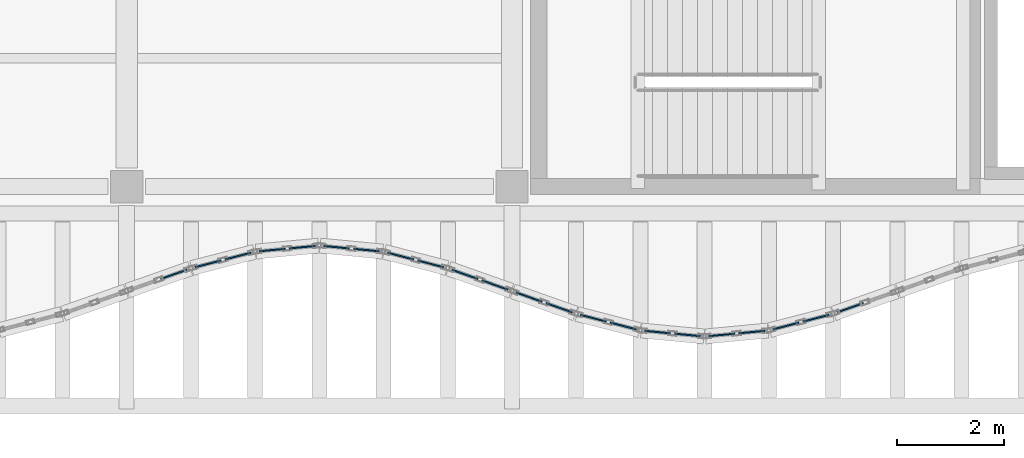
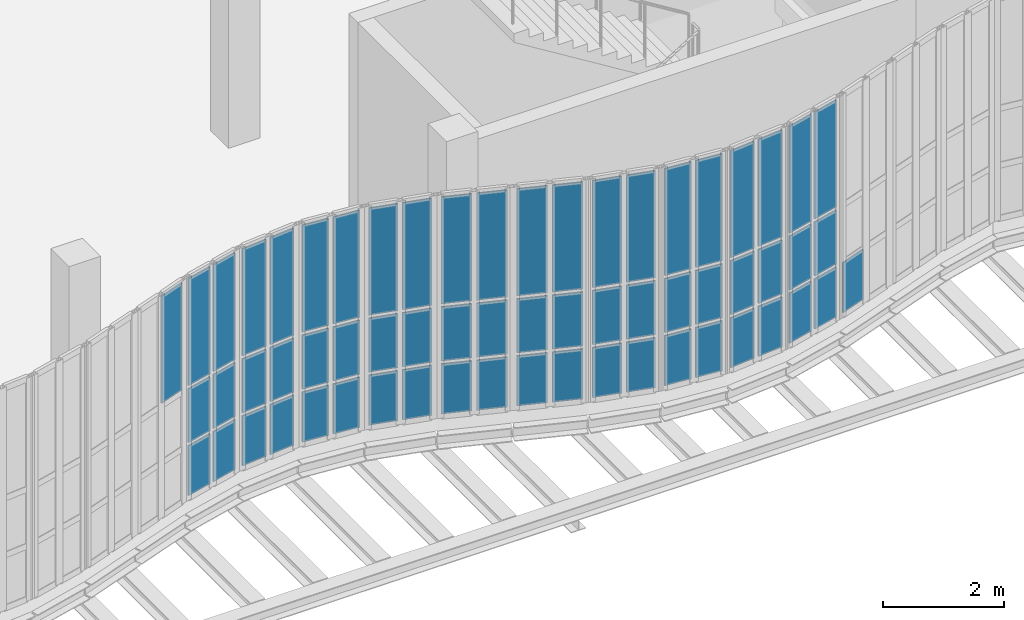
# One storey, part 69 of 105: 62 plates, 12 elements without a shape of their own.
"""IFC4 building model written with IfcOpenShell, lengths in metres."""

import ifcopenshell
import ifcopenshell.guid

model = None  # the IFC model being written
_history = None  # IfcOwnerHistory: only IFC2X3 demands one
_inside = {}  # id of a spatial element -> (the spatial element, [elements in it])
_under = {}  # id of a project, library or spatial element -> (it, [spatial elements below it])
_declared = {}  # id of a project -> (the project, [libraries it declares])
_typed = {}  # id of a type object -> (the type object, [elements of that type])
_made_of = {}  # id of a material, layer set ... -> (it, [elements and type objects made of it])


def new_model(schema):
    """Start an empty IFC model of exactly this schema.

    Asked for "IFC4X3", IfcOpenShell would pick the latest addendum, in which some entities
    have other attributes; the version numbers below select the first issue.
    IFC2X3 requires an IfcOwnerHistory on every rooted entity: one is made here for all.
    """
    global model, _history
    if schema == "IFC4X3":
        model = ifcopenshell.file(schema_version=(4, 3, 0, 0))
    else:
        model = ifcopenshell.file(schema=schema)
    _inside.clear()
    _under.clear()
    _declared.clear()
    _typed.clear()
    _made_of.clear()
    _history = None
    if model.schema == "IFC2X3":
        org = make("IfcOrganization", Name="unknown")
        user = make(
            "IfcPersonAndOrganization",
            ThePerson=make("IfcPerson", FamilyName="unknown"),
            TheOrganization=org,
        )
        app = make(
            "IfcApplication",
            ApplicationDeveloper=org,
            Version="unknown",
            ApplicationFullName="unknown",
            ApplicationIdentifier="unknown",
        )
        _history = make(
            "IfcOwnerHistory",
            OwningUser=user,
            OwningApplication=app,
            ChangeAction="ADDED",
            CreationDate=0,
        )
    return model


def make(cls, **values):
    """One entity of the class cls with the attributes given. An attribute that is None is left unset."""
    return model.create_entity(
        cls, **{name: value for name, value in values.items() if value is not None}
    )


def rooted(cls, **values):
    """An entity with a GlobalId (a new one), such as an element, a storey or a relation."""
    return make(cls, GlobalId=ifcopenshell.guid.new(), OwnerHistory=_history, **values)


def si_unit(unit_type, name, prefix=None):
    """IfcSIUnit, for example si_unit("LENGTHUNIT", "METRE", prefix="MILLI")."""
    return make("IfcSIUnit", UnitType=unit_type, Prefix=prefix, Name=name)


def assignment(units):
    """IfcUnitAssignment: the units of a project."""
    return None if units is None else make("IfcUnitAssignment", Units=units)


def point(xyz):
    """IfcCartesianPoint."""
    return None if xyz is None else make("IfcCartesianPoint", Coordinates=xyz)


def direction(xyz):
    """IfcDirection."""
    return None if xyz is None else make("IfcDirection", DirectionRatios=xyz)


def frame(location, z_axis=None, x_axis=None):
    """IfcAxis2Placement3D, a coordinate frame: its origin and axes. An axis left out is left unset."""
    return make(
        "IfcAxis2Placement3D",
        Location=point(location),
        Axis=direction(z_axis),
        RefDirection=direction(x_axis),
    )


def frame_2d(location, x_axis=None):
    """IfcAxis2Placement2D, a coordinate frame in the plane: its origin and x axis."""
    return make(
        "IfcAxis2Placement2D", Location=point(location), RefDirection=direction(x_axis)
    )


def origin():
    """The frame at (0, 0, 0) with its axes left unset."""
    return frame((0.0, 0.0, 0.0))


def origin_2d():
    """The frame at (0, 0) in the plane with its x axis left unset."""
    return frame_2d((0.0, 0.0))


def place(relative_to, where):
    """IfcLocalPlacement: puts the frame where relative to a parent placement (None: the world)."""
    return make(
        "IfcLocalPlacement", PlacementRelTo=relative_to, RelativePlacement=where
    )


def context(
    kind, dimensions, precision=None, world=None, true_north=None, identifier=None
):
    """IfcGeometricRepresentationContext, for example the 3D "Model" context."""
    return make(
        "IfcGeometricRepresentationContext",
        ContextIdentifier=identifier,
        ContextType=kind,
        CoordinateSpaceDimension=dimensions,
        Precision=precision,
        WorldCoordinateSystem=world,
        TrueNorth=true_north,
    )


def subcontext(parent, identifier, kind, view, scale=None):
    """IfcGeometricRepresentationSubContext, for example "Body" below "Model"."""
    return make(
        "IfcGeometricRepresentationSubContext",
        ContextIdentifier=identifier,
        ContextType=kind,
        ParentContext=parent,
        TargetScale=scale,
        TargetView=view,
    )


def project(units=None, contexts=None):
    """IfcProject with its units and contexts."""
    return rooted(
        "IfcProject",
        Name="project",
        RepresentationContexts=contexts,
        UnitsInContext=assignment(units),
    )


def spatial(cls, under=None, at=None, **own):
    """A site, building, storey or space (cls), placed at a placement, below another one or the project."""
    s = rooted(cls, ObjectPlacement=at, **own)
    if under is not None:
        _under.setdefault(under.id(), (under, []))[1].append(s)
    return s


def profile(cls, at=None, kind="AREA", **sizes):
    """A parametric profile (cls). Its sizes go by their IFC names, for example OverallWidth=200.0."""
    return make(cls, ProfileType=kind, Position=at, **sizes)


def rectangle(**sizes):
    """IfcRectangleProfileDef."""
    return profile("IfcRectangleProfileDef", **sizes)


def extrude(swept, where, along, depth):
    """IfcExtrudedAreaSolid: the profile swept, set in the frame where, extruded along a direction by depth."""
    return make(
        "IfcExtrudedAreaSolid",
        SweptArea=swept,
        Position=where,
        ExtrudedDirection=direction(along),
        Depth=depth,
    )


def shape(context_of_items, identifier, shape_type, items):
    """IfcShapeRepresentation: the items that make up one representation, for example the "Body"."""
    return make(
        "IfcShapeRepresentation",
        ContextOfItems=context_of_items,
        RepresentationIdentifier=identifier,
        RepresentationType=shape_type,
        Items=items,
    )


def material(Name=None, Category=None):
    """IfcMaterial."""
    return make("IfcMaterial", Name=Name, Category=Category)


def layer(
    of_material, thickness, ventilated=None, Name=None, Category=None, Priority=None
):
    """IfcMaterialLayer: one layer of a wall or slab, of a material (None: an air gap)."""
    return make(
        "IfcMaterialLayer",
        Material=of_material,
        LayerThickness=thickness,
        IsVentilated=ventilated,
        Name=Name,
        Category=Category,
        Priority=Priority,
    )


def layer_set(layers, Name=None):
    """IfcMaterialLayerSet."""
    return make("IfcMaterialLayerSet", MaterialLayers=layers, LayerSetName=Name)


def made_of(thing, what):
    """Note that an element or type object is made of a material, layer set ...; save() writes the relation."""
    if what is not None:
        _made_of.setdefault(what.id(), (what, []))[1].append(thing)
    return thing


def type_object(cls, material=None, **own):
    """A type object (cls), such as IfcWallType, which elements share."""
    return made_of(rooted(cls, **own), material)


def element(
    cls,
    number,
    at=None,
    inside=None,
    cuts=None,
    type_object=None,
    material=None,
    context=None,
    identifier="Body",
    shape_type=None,
    held_by="IfcProductDefinitionShape",
    body=None,
    shapes=None,
    **own,
):
    """One element of the class cls, such as IfcWall. Its Tag is "e" and its number.

    at: its placement. inside: the storey or other place that contains it. cuts: it is an
    opening in that element (IfcRelVoidsElement). A single representation is given by context,
    identifier, shape_type and body (its items); several are given by shapes. held_by: the class
    of the entity that holds the representations. save() writes the other relations.
    """
    e = rooted(cls, Tag="e%d" % number, ObjectPlacement=at, **own)
    if body is not None:
        shapes = [shape(context, identifier, shape_type, body)]
    if shapes is not None:
        e.Representation = make(held_by, Representations=shapes)
    if inside is not None:
        _inside.setdefault(inside.id(), (inside, []))[1].append(e)
    if cuts is not None:
        rooted(
            "IfcRelVoidsElement", RelatingBuildingElement=cuts, RelatedOpeningElement=e
        )
    if type_object is not None:
        _typed.setdefault(type_object.id(), (type_object, []))[1].append(e)
    return made_of(e, material)


def aggregate(whole, parts):
    """IfcRelAggregates: a whole, such as a stair, and the parts it consists of."""
    return rooted("IfcRelAggregates", RelatingObject=whole, RelatedObjects=parts)


def save(model, path):
    """Write the relations noted so far, then the file.

    IfcRelAggregates (storeys below a building ...), IfcRelContainedInSpatialStructure (elements
    in a storey), IfcRelDefinesByType, IfcRelAssociatesMaterial and IfcRelDeclares: one each for
    every whole, place, type object, material and project.
    """
    for whole, parts in _under.values():
        aggregate(whole, parts)
    for where, things in _inside.values():
        rooted(
            "IfcRelContainedInSpatialStructure",
            RelatedElements=things,
            RelatingStructure=where,
        )
    for kind, things in _typed.values():
        rooted("IfcRelDefinesByType", RelatedObjects=things, RelatingType=kind)
    for what, things in _made_of.values():
        rooted("IfcRelAssociatesMaterial", RelatedObjects=things, RelatingMaterial=what)
    for by, libraries in _declared.values():
        rooted("IfcRelDeclares", RelatingContext=by, RelatedDefinitions=libraries)
    model.write(path)


model = new_model("IFC4")

# Units and contexts
model_context = context("Model", 3, precision=1e-05, world=origin(), true_north=direction((0.0, 1.0)))
body_context = subcontext(model_context, "Body", "Model", "MODEL_VIEW")
ifc_project = project(units=[si_unit("LENGTHUNIT", "METRE"), si_unit("AREAUNIT", "SQUARE_METRE"), si_unit("VOLUMEUNIT", "CUBIC_METRE"), si_unit("PLANEANGLEUNIT", "RADIAN"), si_unit("MASSUNIT", "GRAM", prefix="KILO"), si_unit("THERMODYNAMICTEMPERATUREUNIT", "KELVIN"), si_unit("POWERUNIT", "WATT")], contexts=[model_context])

# Site, building, storey
site_placement = place(None, origin())
site = spatial("IfcSite", under=ifc_project, at=site_placement, CompositionType="ELEMENT")
building_placement = place(site_placement, origin())
building = spatial("IfcBuilding", under=site, at=building_placement, Name="Kaldorven Railside Theatre", CompositionType="ELEMENT")
storey_placement = place(building_placement, frame((0.0, 0.0, 9.89990234375)))
storey = spatial("IfcBuildingStorey", under=building, at=storey_placement, Name="L02", CompositionType="ELEMENT", Elevation=9.89990234375)

# Curtain wall, plate
ifc_material = material(Name="Low-E laminated solar-control glass", Category="glass")
ifc_layer_1 = layer(ifc_material, 0.159912109375, Name="Low-E laminated solar-control glass")
ifc_layer_set_1 = layer_set([ifc_layer_1], Name="Low-E laminated solar-control glass")
curtain_wall_type_1 = type_object("IfcCurtainWallType", Name="CWT-01", PredefinedType="USERDEFINED", material=ifc_layer_set_1)
curtain_wall_1_placement = place(storey_placement, origin())
curtain_wall_1 = element("IfcCurtainWall", 1, at=curtain_wall_1_placement, inside=storey, type_object=curtain_wall_type_1, Name="Sinusoidal Fluted Curtain Wall CW-L02-S13", ObjectType="FLUTED GLAZING", PredefinedType="USERDEFINED")
ifc_layer_2 = layer(ifc_material, 0.028076171875, Name="Low-E laminated solar-control glass")
ifc_layer_set_2 = layer_set([ifc_layer_2], Name="Low-E laminated solar-control glass")
plate_type = type_object("IfcPlateType", Name="CWP-GLZ28", PredefinedType="CURTAIN_PANEL", material=ifc_layer_set_2)
plate_1_placement = place(storey_placement, frame((52.0810546875, 17.56201171875, 2.2802734375), z_axis=(0.0, 0.0, 1.0), x_axis=(0.942627225159, 0.33384714225, 0.0)))
plate_1 = element("IfcPlate", 2, at=plate_1_placement, type_object=plate_type, Name="CW-L02-S13 panel 2.3", PredefinedType="CURTAIN_PANEL", context=body_context, shape_type="SweptSolid", body=[
    extrude(rectangle(XDim=0.5166015625, YDim=0.028076171875, at=origin_2d()), origin(), (0.0, 0.0, 1.0), 2.159912109375),
])
aggregate(curtain_wall_1, [plate_1])

# Curtain wall, plates
ifc_layer_3 = layer(ifc_material, 0.159912109375, Name="Low-E laminated solar-control glass")
ifc_layer_set_3 = layer_set([ifc_layer_3], Name="Low-E laminated solar-control glass")
curtain_wall_type_2 = type_object("IfcCurtainWallType", Name="CWT-02", PredefinedType="USERDEFINED", material=ifc_layer_set_3)
curtain_wall_2_placement = place(storey_placement, origin())
curtain_wall_2 = element("IfcCurtainWall", 3, at=curtain_wall_2_placement, inside=storey, type_object=curtain_wall_type_2, Name="Sinusoidal Fluted Curtain Wall CW-L02-S14", ObjectType="FLUTED GLAZING", PredefinedType="USERDEFINED")
plate_2_placement = place(storey_placement, frame((52.71923828125, 17.7578125, 0.06005859375), z_axis=(0.0, 0.0, 1.0), x_axis=(0.967999075505, 0.250953760326, 0.0)))
plate_2 = element("IfcPlate", 4, at=plate_2_placement, type_object=plate_type, Name="CW-L02-S14 panel 1.1", PredefinedType="CURTAIN_PANEL", context=body_context, shape_type="SweptSolid", body=[
    extrude(rectangle(XDim=0.499755859375, YDim=0.028076171875, at=origin_2d()), origin(), (0.0, 0.0, 1.0), 1.010009765625),
])
plate_3_placement = place(storey_placement, frame((52.71923828125, 17.7578125, 1.1298828125), z_axis=(0.0, 0.0, 1.0), x_axis=(0.967999075505, 0.250953760326, 0.0)))
plate_3 = element("IfcPlate", 5, at=plate_3_placement, type_object=plate_type, Name="CW-L02-S14 panel 1.2", PredefinedType="CURTAIN_PANEL", context=body_context, shape_type="SweptSolid", body=[
    extrude(rectangle(XDim=0.499755859375, YDim=0.028076171875, at=origin_2d()), origin(), (0.0, 0.0, 1.0), 1.090087890625),
])
plate_4_placement = place(storey_placement, frame((52.71923828125, 17.7578125, 2.2802734375), z_axis=(0.0, 0.0, 1.0), x_axis=(0.967999075505, 0.250953760326, 0.0)))
plate_4 = element("IfcPlate", 6, at=plate_4_placement, type_object=plate_type, Name="CW-L02-S14 panel 1.3", PredefinedType="CURTAIN_PANEL", context=body_context, shape_type="SweptSolid", body=[
    extrude(rectangle(XDim=0.499755859375, YDim=0.028076171875, at=origin_2d()), origin(), (0.0, 0.0, 1.0), 2.159912109375),
])
plate_5_placement = place(storey_placement, frame((53.28076171875, 17.9033203125, 0.06005859375), z_axis=(0.0, 0.0, 1.0), x_axis=(0.967999075505, 0.250953760326, 0.0)))
plate_5 = element("IfcPlate", 7, at=plate_5_placement, type_object=plate_type, Name="CW-L02-S14 panel 2.1", PredefinedType="CURTAIN_PANEL", context=body_context, shape_type="SweptSolid", body=[
    extrude(rectangle(XDim=0.499755859375, YDim=0.028076171875, at=origin_2d()), origin(), (0.0, 0.0, 1.0), 1.010009765625),
])
plate_6_placement = place(storey_placement, frame((53.28076171875, 17.9033203125, 1.1298828125), z_axis=(0.0, 0.0, 1.0), x_axis=(0.967999075505, 0.250953760326, 0.0)))
plate_6 = element("IfcPlate", 8, at=plate_6_placement, type_object=plate_type, Name="CW-L02-S14 panel 2.2", PredefinedType="CURTAIN_PANEL", context=body_context, shape_type="SweptSolid", body=[
    extrude(rectangle(XDim=0.499755859375, YDim=0.028076171875, at=origin_2d()), origin(), (0.0, 0.0, 1.0), 1.090087890625),
])
plate_7_placement = place(storey_placement, frame((53.28076171875, 17.9033203125, 2.2802734375), z_axis=(0.0, 0.0, 1.0), x_axis=(0.967999075505, 0.250953760326, 0.0)))
plate_7 = element("IfcPlate", 9, at=plate_7_placement, type_object=plate_type, Name="CW-L02-S14 panel 2.3", PredefinedType="CURTAIN_PANEL", context=body_context, shape_type="SweptSolid", body=[
    extrude(rectangle(XDim=0.499755859375, YDim=0.028076171875, at=origin_2d()), origin(), (0.0, 0.0, 1.0), 2.159912109375),
])
aggregate(curtain_wall_2, [plate_2, plate_3, plate_4, plate_5, plate_6, plate_7])

ifc_layer_4 = layer(ifc_material, 0.159912109375, Name="Low-E laminated solar-control glass")
ifc_layer_set_4 = layer_set([ifc_layer_4], Name="Low-E laminated solar-control glass")
curtain_wall_type_3 = type_object("IfcCurtainWallType", Name="CWT-03", PredefinedType="USERDEFINED", material=ifc_layer_set_4)
curtain_wall_3_placement = place(storey_placement, origin())
curtain_wall_3 = element("IfcCurtainWall", 10, at=curtain_wall_3_placement, inside=storey, type_object=curtain_wall_type_3, Name="Sinusoidal Fluted Curtain Wall CW-L02-S15", ObjectType="FLUTED GLAZING", PredefinedType="USERDEFINED")
plate_8_placement = place(storey_placement, frame((53.919921875, 18.016357421875, 0.06005859375), z_axis=(0.0, 0.0, 1.0), x_axis=(0.995525623425, 0.094491973758, 0.0)))
plate_8 = element("IfcPlate", 11, at=plate_8_placement, type_object=plate_type, Name="CW-L02-S15 panel 1.1", PredefinedType="CURTAIN_PANEL", context=body_context, shape_type="SweptSolid", body=[
    extrude(rectangle(XDim=0.482666015625, YDim=0.028076171875, at=origin_2d()), origin(), (0.0, 0.0, 1.0), 1.010009765625),
])
plate_9_placement = place(storey_placement, frame((53.919921875, 18.016357421875, 1.1298828125), z_axis=(0.0, 0.0, 1.0), x_axis=(0.995525623425, 0.094491973758, 0.0)))
plate_9 = element("IfcPlate", 12, at=plate_9_placement, type_object=plate_type, Name="CW-L02-S15 panel 1.2", PredefinedType="CURTAIN_PANEL", context=body_context, shape_type="SweptSolid", body=[
    extrude(rectangle(XDim=0.482666015625, YDim=0.028076171875, at=origin_2d()), origin(), (0.0, 0.0, 1.0), 1.090087890625),
])
plate_10_placement = place(storey_placement, frame((53.919921875, 18.016357421875, 2.2802734375), z_axis=(0.0, 0.0, 1.0), x_axis=(0.995525623425, 0.094491973758, 0.0)))
plate_10 = element("IfcPlate", 13, at=plate_10_placement, type_object=plate_type, Name="CW-L02-S15 panel 1.3", PredefinedType="CURTAIN_PANEL", context=body_context, shape_type="SweptSolid", body=[
    extrude(rectangle(XDim=0.482666015625, YDim=0.028076171875, at=origin_2d()), origin(), (0.0, 0.0, 1.0), 2.159912109375),
])
plate_11_placement = place(storey_placement, frame((54.47998046875, 18.069580078125, 0.06005859375), z_axis=(0.0, 0.0, 1.0), x_axis=(0.995525623425, 0.094491973758, 0.0)))
plate_11 = element("IfcPlate", 14, at=plate_11_placement, type_object=plate_type, Name="CW-L02-S15 panel 2.1", PredefinedType="CURTAIN_PANEL", context=body_context, shape_type="SweptSolid", body=[
    extrude(rectangle(XDim=0.482666015625, YDim=0.028076171875, at=origin_2d()), origin(), (0.0, 0.0, 1.0), 1.010009765625),
])
plate_12_placement = place(storey_placement, frame((54.47998046875, 18.069580078125, 1.1298828125), z_axis=(0.0, 0.0, 1.0), x_axis=(0.995525623425, 0.094491973758, 0.0)))
plate_12 = element("IfcPlate", 15, at=plate_12_placement, type_object=plate_type, Name="CW-L02-S15 panel 2.2", PredefinedType="CURTAIN_PANEL", context=body_context, shape_type="SweptSolid", body=[
    extrude(rectangle(XDim=0.482666015625, YDim=0.028076171875, at=origin_2d()), origin(), (0.0, 0.0, 1.0), 1.090087890625),
])
plate_13_placement = place(storey_placement, frame((54.47998046875, 18.069580078125, 2.2802734375), z_axis=(0.0, 0.0, 1.0), x_axis=(0.995525623425, 0.094491973758, 0.0)))
plate_13 = element("IfcPlate", 16, at=plate_13_placement, type_object=plate_type, Name="CW-L02-S15 panel 2.3", PredefinedType="CURTAIN_PANEL", context=body_context, shape_type="SweptSolid", body=[
    extrude(rectangle(XDim=0.482666015625, YDim=0.028076171875, at=origin_2d()), origin(), (0.0, 0.0, 1.0), 2.159912109375),
])
aggregate(curtain_wall_3, [plate_8, plate_9, plate_10, plate_11, plate_12, plate_13])

curtain_wall_4_placement = place(storey_placement, origin())
curtain_wall_4 = element("IfcCurtainWall", 17, at=curtain_wall_4_placement, inside=storey, type_object=curtain_wall_type_3, Name="Sinusoidal Fluted Curtain Wall CW-L02-S16", ObjectType="FLUTED GLAZING", PredefinedType="USERDEFINED")
plate_14_placement = place(storey_placement, frame((55.119873046875, 18.069580078125, 0.06005859375), z_axis=(0.0, 0.0, 1.0), x_axis=(0.995525623425, -0.094491973758, 0.0)))
plate_14 = element("IfcPlate", 18, at=plate_14_placement, type_object=plate_type, Name="CW-L02-S16 panel 1.1", PredefinedType="CURTAIN_PANEL", context=body_context, shape_type="SweptSolid", body=[
    extrude(rectangle(XDim=0.482666015625, YDim=0.028076171875, at=origin_2d()), origin(), (0.0, 0.0, 1.0), 1.010009765625),
])
plate_15_placement = place(storey_placement, frame((55.119873046875, 18.069580078125, 1.1298828125), z_axis=(0.0, 0.0, 1.0), x_axis=(0.995525623425, -0.094491973758, 0.0)))
plate_15 = element("IfcPlate", 19, at=plate_15_placement, type_object=plate_type, Name="CW-L02-S16 panel 1.2", PredefinedType="CURTAIN_PANEL", context=body_context, shape_type="SweptSolid", body=[
    extrude(rectangle(XDim=0.482666015625, YDim=0.028076171875, at=origin_2d()), origin(), (0.0, 0.0, 1.0), 1.090087890625),
])
plate_16_placement = place(storey_placement, frame((55.119873046875, 18.069580078125, 2.2802734375), z_axis=(0.0, 0.0, 1.0), x_axis=(0.995525623425, -0.094491973758, 0.0)))
plate_16 = element("IfcPlate", 20, at=plate_16_placement, type_object=plate_type, Name="CW-L02-S16 panel 1.3", PredefinedType="CURTAIN_PANEL", context=body_context, shape_type="SweptSolid", body=[
    extrude(rectangle(XDim=0.482666015625, YDim=0.028076171875, at=origin_2d()), origin(), (0.0, 0.0, 1.0), 2.159912109375),
])
plate_17_placement = place(storey_placement, frame((55.68017578125, 18.016357421875, 0.06005859375), z_axis=(0.0, 0.0, 1.0), x_axis=(0.995525623425, -0.094491973758, 0.0)))
plate_17 = element("IfcPlate", 21, at=plate_17_placement, type_object=plate_type, Name="CW-L02-S16 panel 2.1", PredefinedType="CURTAIN_PANEL", context=body_context, shape_type="SweptSolid", body=[
    extrude(rectangle(XDim=0.482666015625, YDim=0.028076171875, at=origin_2d()), origin(), (0.0, 0.0, 1.0), 1.010009765625),
])
plate_18_placement = place(storey_placement, frame((55.68017578125, 18.016357421875, 1.1298828125), z_axis=(0.0, 0.0, 1.0), x_axis=(0.995525623425, -0.094491973758, 0.0)))
plate_18 = element("IfcPlate", 22, at=plate_18_placement, type_object=plate_type, Name="CW-L02-S16 panel 2.2", PredefinedType="CURTAIN_PANEL", context=body_context, shape_type="SweptSolid", body=[
    extrude(rectangle(XDim=0.482666015625, YDim=0.028076171875, at=origin_2d()), origin(), (0.0, 0.0, 1.0), 1.090087890625),
])
plate_19_placement = place(storey_placement, frame((55.68017578125, 18.016357421875, 2.2802734375), z_axis=(0.0, 0.0, 1.0), x_axis=(0.995525623425, -0.094491973758, 0.0)))
plate_19 = element("IfcPlate", 23, at=plate_19_placement, type_object=plate_type, Name="CW-L02-S16 panel 2.3", PredefinedType="CURTAIN_PANEL", context=body_context, shape_type="SweptSolid", body=[
    extrude(rectangle(XDim=0.482666015625, YDim=0.028076171875, at=origin_2d()), origin(), (0.0, 0.0, 1.0), 2.159912109375),
])
aggregate(curtain_wall_4, [plate_14, plate_15, plate_16, plate_17, plate_18, plate_19])

curtain_wall_5_placement = place(storey_placement, origin())
curtain_wall_5 = element("IfcCurtainWall", 24, at=curtain_wall_5_placement, inside=storey, type_object=curtain_wall_type_2, Name="Sinusoidal Fluted Curtain Wall CW-L02-S17", ObjectType="FLUTED GLAZING", PredefinedType="USERDEFINED")
plate_20_placement = place(storey_placement, frame((56.3193359375, 17.9033203125, 0.06005859375), z_axis=(0.0, 0.0, 1.0), x_axis=(0.967999075505, -0.250953760326, 0.0)))
plate_20 = element("IfcPlate", 25, at=plate_20_placement, type_object=plate_type, Name="CW-L02-S17 panel 1.1", PredefinedType="CURTAIN_PANEL", context=body_context, shape_type="SweptSolid", body=[
    extrude(rectangle(XDim=0.499755859375, YDim=0.028076171875, at=origin_2d()), origin(), (0.0, 0.0, 1.0), 1.010009765625),
])
plate_21_placement = place(storey_placement, frame((56.3193359375, 17.9033203125, 1.1298828125), z_axis=(0.0, 0.0, 1.0), x_axis=(0.967999075505, -0.250953760326, 0.0)))
plate_21 = element("IfcPlate", 26, at=plate_21_placement, type_object=plate_type, Name="CW-L02-S17 panel 1.2", PredefinedType="CURTAIN_PANEL", context=body_context, shape_type="SweptSolid", body=[
    extrude(rectangle(XDim=0.499755859375, YDim=0.028076171875, at=origin_2d()), origin(), (0.0, 0.0, 1.0), 1.090087890625),
])
plate_22_placement = place(storey_placement, frame((56.3193359375, 17.9033203125, 2.2802734375), z_axis=(0.0, 0.0, 1.0), x_axis=(0.967999075505, -0.250953760326, 0.0)))
plate_22 = element("IfcPlate", 27, at=plate_22_placement, type_object=plate_type, Name="CW-L02-S17 panel 1.3", PredefinedType="CURTAIN_PANEL", context=body_context, shape_type="SweptSolid", body=[
    extrude(rectangle(XDim=0.499755859375, YDim=0.028076171875, at=origin_2d()), origin(), (0.0, 0.0, 1.0), 2.159912109375),
])
plate_23_placement = place(storey_placement, frame((56.880615234375, 17.7578125, 0.06005859375), z_axis=(0.0, 0.0, 1.0), x_axis=(0.967999075505, -0.250953760326, 0.0)))
plate_23 = element("IfcPlate", 28, at=plate_23_placement, type_object=plate_type, Name="CW-L02-S17 panel 2.1", PredefinedType="CURTAIN_PANEL", context=body_context, shape_type="SweptSolid", body=[
    extrude(rectangle(XDim=0.499755859375, YDim=0.028076171875, at=origin_2d()), origin(), (0.0, 0.0, 1.0), 1.010009765625),
])
plate_24_placement = place(storey_placement, frame((56.880615234375, 17.7578125, 1.1298828125), z_axis=(0.0, 0.0, 1.0), x_axis=(0.967999075505, -0.250953760326, 0.0)))
plate_24 = element("IfcPlate", 29, at=plate_24_placement, type_object=plate_type, Name="CW-L02-S17 panel 2.2", PredefinedType="CURTAIN_PANEL", context=body_context, shape_type="SweptSolid", body=[
    extrude(rectangle(XDim=0.499755859375, YDim=0.028076171875, at=origin_2d()), origin(), (0.0, 0.0, 1.0), 1.090087890625),
])
plate_25_placement = place(storey_placement, frame((56.880615234375, 17.7578125, 2.2802734375), z_axis=(0.0, 0.0, 1.0), x_axis=(0.967999075505, -0.250953760326, 0.0)))
plate_25 = element("IfcPlate", 30, at=plate_25_placement, type_object=plate_type, Name="CW-L02-S17 panel 2.3", PredefinedType="CURTAIN_PANEL", context=body_context, shape_type="SweptSolid", body=[
    extrude(rectangle(XDim=0.499755859375, YDim=0.028076171875, at=origin_2d()), origin(), (0.0, 0.0, 1.0), 2.159912109375),
])
aggregate(curtain_wall_5, [plate_20, plate_21, plate_22, plate_23, plate_24, plate_25])

curtain_wall_6_placement = place(storey_placement, origin())
curtain_wall_6 = element("IfcCurtainWall", 31, at=curtain_wall_6_placement, inside=storey, type_object=curtain_wall_type_1, Name="Sinusoidal Fluted Curtain Wall CW-L02-S18", ObjectType="FLUTED GLAZING", PredefinedType="USERDEFINED")
plate_26_placement = place(storey_placement, frame((57.518798828125, 17.56201171875, 0.06005859375), z_axis=(0.0, 0.0, 1.0), x_axis=(0.942627225159, -0.33384714225, 0.0)))
plate_26 = element("IfcPlate", 32, at=plate_26_placement, type_object=plate_type, Name="CW-L02-S18 panel 1.1", PredefinedType="CURTAIN_PANEL", context=body_context, shape_type="SweptSolid", body=[
    extrude(rectangle(XDim=0.5166015625, YDim=0.028076171875, at=origin_2d()), origin(), (0.0, 0.0, 1.0), 1.010009765625),
])
plate_27_placement = place(storey_placement, frame((57.518798828125, 17.56201171875, 1.1298828125), z_axis=(0.0, 0.0, 1.0), x_axis=(0.942627225159, -0.33384714225, 0.0)))
plate_27 = element("IfcPlate", 33, at=plate_27_placement, type_object=plate_type, Name="CW-L02-S18 panel 1.2", PredefinedType="CURTAIN_PANEL", context=body_context, shape_type="SweptSolid", body=[
    extrude(rectangle(XDim=0.5166015625, YDim=0.028076171875, at=origin_2d()), origin(), (0.0, 0.0, 1.0), 1.090087890625),
])
plate_28_placement = place(storey_placement, frame((57.518798828125, 17.56201171875, 2.2802734375), z_axis=(0.0, 0.0, 1.0), x_axis=(0.942627225159, -0.33384714225, 0.0)))
plate_28 = element("IfcPlate", 34, at=plate_28_placement, type_object=plate_type, Name="CW-L02-S18 panel 1.3", PredefinedType="CURTAIN_PANEL", context=body_context, shape_type="SweptSolid", body=[
    extrude(rectangle(XDim=0.5166015625, YDim=0.028076171875, at=origin_2d()), origin(), (0.0, 0.0, 1.0), 2.159912109375),
])
plate_29_placement = place(storey_placement, frame((58.0810546875, 17.363037109375, 0.06005859375), z_axis=(0.0, 0.0, 1.0), x_axis=(0.942627225159, -0.33384714225, 0.0)))
plate_29 = element("IfcPlate", 35, at=plate_29_placement, type_object=plate_type, Name="CW-L02-S18 panel 2.1", PredefinedType="CURTAIN_PANEL", context=body_context, shape_type="SweptSolid", body=[
    extrude(rectangle(XDim=0.5166015625, YDim=0.028076171875, at=origin_2d()), origin(), (0.0, 0.0, 1.0), 1.010009765625),
])
plate_30_placement = place(storey_placement, frame((58.0810546875, 17.363037109375, 1.1298828125), z_axis=(0.0, 0.0, 1.0), x_axis=(0.942627225159, -0.33384714225, 0.0)))
plate_30 = element("IfcPlate", 36, at=plate_30_placement, type_object=plate_type, Name="CW-L02-S18 panel 2.2", PredefinedType="CURTAIN_PANEL", context=body_context, shape_type="SweptSolid", body=[
    extrude(rectangle(XDim=0.5166015625, YDim=0.028076171875, at=origin_2d()), origin(), (0.0, 0.0, 1.0), 1.090087890625),
])
plate_31_placement = place(storey_placement, frame((58.0810546875, 17.363037109375, 2.2802734375), z_axis=(0.0, 0.0, 1.0), x_axis=(0.942627225159, -0.33384714225, 0.0)))
plate_31 = element("IfcPlate", 37, at=plate_31_placement, type_object=plate_type, Name="CW-L02-S18 panel 2.3", PredefinedType="CURTAIN_PANEL", context=body_context, shape_type="SweptSolid", body=[
    extrude(rectangle(XDim=0.5166015625, YDim=0.028076171875, at=origin_2d()), origin(), (0.0, 0.0, 1.0), 2.159912109375),
])
aggregate(curtain_wall_6, [plate_26, plate_27, plate_28, plate_29, plate_30, plate_31])

curtain_wall_7_placement = place(storey_placement, origin())
curtain_wall_7 = element("IfcCurtainWall", 38, at=curtain_wall_7_placement, inside=storey, type_object=curtain_wall_type_1, Name="Sinusoidal Fluted Curtain Wall CW-L02-S19", ObjectType="FLUTED GLAZING", PredefinedType="USERDEFINED")
plate_32_placement = place(storey_placement, frame((58.71875, 17.136962890625, 0.06005859375), z_axis=(0.0, 0.0, 1.0), x_axis=(0.942627225159, -0.33384714225, 0.0)))
plate_32 = element("IfcPlate", 39, at=plate_32_placement, type_object=plate_type, Name="CW-L02-S19 panel 1.1", PredefinedType="CURTAIN_PANEL", context=body_context, shape_type="SweptSolid", body=[
    extrude(rectangle(XDim=0.5166015625, YDim=0.028076171875, at=origin_2d()), origin(), (0.0, 0.0, 1.0), 1.010009765625),
])
plate_33_placement = place(storey_placement, frame((58.71875, 17.136962890625, 1.1298828125), z_axis=(0.0, 0.0, 1.0), x_axis=(0.942627225159, -0.33384714225, 0.0)))
plate_33 = element("IfcPlate", 40, at=plate_33_placement, type_object=plate_type, Name="CW-L02-S19 panel 1.2", PredefinedType="CURTAIN_PANEL", context=body_context, shape_type="SweptSolid", body=[
    extrude(rectangle(XDim=0.5166015625, YDim=0.028076171875, at=origin_2d()), origin(), (0.0, 0.0, 1.0), 1.090087890625),
])
plate_34_placement = place(storey_placement, frame((58.71875, 17.136962890625, 2.2802734375), z_axis=(0.0, 0.0, 1.0), x_axis=(0.942627225159, -0.33384714225, 0.0)))
plate_34 = element("IfcPlate", 41, at=plate_34_placement, type_object=plate_type, Name="CW-L02-S19 panel 1.3", PredefinedType="CURTAIN_PANEL", context=body_context, shape_type="SweptSolid", body=[
    extrude(rectangle(XDim=0.5166015625, YDim=0.028076171875, at=origin_2d()), origin(), (0.0, 0.0, 1.0), 2.159912109375),
])
plate_35_placement = place(storey_placement, frame((59.28125, 16.93798828125, 0.06005859375), z_axis=(0.0, 0.0, 1.0), x_axis=(0.942627225159, -0.33384714225, 0.0)))
plate_35 = element("IfcPlate", 42, at=plate_35_placement, type_object=plate_type, Name="CW-L02-S19 panel 2.1", PredefinedType="CURTAIN_PANEL", context=body_context, shape_type="SweptSolid", body=[
    extrude(rectangle(XDim=0.5166015625, YDim=0.028076171875, at=origin_2d()), origin(), (0.0, 0.0, 1.0), 1.010009765625),
])
plate_36_placement = place(storey_placement, frame((59.28125, 16.93798828125, 1.1298828125), z_axis=(0.0, 0.0, 1.0), x_axis=(0.942627225159, -0.33384714225, 0.0)))
plate_36 = element("IfcPlate", 43, at=plate_36_placement, type_object=plate_type, Name="CW-L02-S19 panel 2.2", PredefinedType="CURTAIN_PANEL", context=body_context, shape_type="SweptSolid", body=[
    extrude(rectangle(XDim=0.5166015625, YDim=0.028076171875, at=origin_2d()), origin(), (0.0, 0.0, 1.0), 1.090087890625),
])
plate_37_placement = place(storey_placement, frame((59.28125, 16.93798828125, 2.2802734375), z_axis=(0.0, 0.0, 1.0), x_axis=(0.942627225159, -0.33384714225, 0.0)))
plate_37 = element("IfcPlate", 44, at=plate_37_placement, type_object=plate_type, Name="CW-L02-S19 panel 2.3", PredefinedType="CURTAIN_PANEL", context=body_context, shape_type="SweptSolid", body=[
    extrude(rectangle(XDim=0.5166015625, YDim=0.028076171875, at=origin_2d()), origin(), (0.0, 0.0, 1.0), 2.159912109375),
])
aggregate(curtain_wall_7, [plate_32, plate_33, plate_34, plate_35, plate_36, plate_37])

curtain_wall_8_placement = place(storey_placement, origin())
curtain_wall_8 = element("IfcCurtainWall", 45, at=curtain_wall_8_placement, inside=storey, type_object=curtain_wall_type_2, Name="Sinusoidal Fluted Curtain Wall CW-L02-S20", ObjectType="FLUTED GLAZING", PredefinedType="USERDEFINED")
plate_38_placement = place(storey_placement, frame((59.91943359375, 16.7421875, 0.06005859375), z_axis=(0.0, 0.0, 1.0), x_axis=(0.967999075505, -0.250953760326, 0.0)))
plate_38 = element("IfcPlate", 46, at=plate_38_placement, type_object=plate_type, Name="CW-L02-S20 panel 1.1", PredefinedType="CURTAIN_PANEL", context=body_context, shape_type="SweptSolid", body=[
    extrude(rectangle(XDim=0.499755859375, YDim=0.028076171875, at=origin_2d()), origin(), (0.0, 0.0, 1.0), 1.010009765625),
])
plate_39_placement = place(storey_placement, frame((59.91943359375, 16.7421875, 1.1298828125), z_axis=(0.0, 0.0, 1.0), x_axis=(0.967999075505, -0.250953760326, 0.0)))
plate_39 = element("IfcPlate", 47, at=plate_39_placement, type_object=plate_type, Name="CW-L02-S20 panel 1.2", PredefinedType="CURTAIN_PANEL", context=body_context, shape_type="SweptSolid", body=[
    extrude(rectangle(XDim=0.499755859375, YDim=0.028076171875, at=origin_2d()), origin(), (0.0, 0.0, 1.0), 1.090087890625),
])
plate_40_placement = place(storey_placement, frame((59.91943359375, 16.7421875, 2.2802734375), z_axis=(0.0, 0.0, 1.0), x_axis=(0.967999075505, -0.250953760326, 0.0)))
plate_40 = element("IfcPlate", 48, at=plate_40_placement, type_object=plate_type, Name="CW-L02-S20 panel 1.3", PredefinedType="CURTAIN_PANEL", context=body_context, shape_type="SweptSolid", body=[
    extrude(rectangle(XDim=0.499755859375, YDim=0.028076171875, at=origin_2d()), origin(), (0.0, 0.0, 1.0), 2.159912109375),
])
plate_41_placement = place(storey_placement, frame((60.480712890625, 16.5966796875, 0.06005859375), z_axis=(0.0, 0.0, 1.0), x_axis=(0.967999075505, -0.250953760326, 0.0)))
plate_41 = element("IfcPlate", 49, at=plate_41_placement, type_object=plate_type, Name="CW-L02-S20 panel 2.1", PredefinedType="CURTAIN_PANEL", context=body_context, shape_type="SweptSolid", body=[
    extrude(rectangle(XDim=0.499755859375, YDim=0.028076171875, at=origin_2d()), origin(), (0.0, 0.0, 1.0), 1.010009765625),
])
plate_42_placement = place(storey_placement, frame((60.480712890625, 16.5966796875, 1.1298828125), z_axis=(0.0, 0.0, 1.0), x_axis=(0.967999075505, -0.250953760326, 0.0)))
plate_42 = element("IfcPlate", 50, at=plate_42_placement, type_object=plate_type, Name="CW-L02-S20 panel 2.2", PredefinedType="CURTAIN_PANEL", context=body_context, shape_type="SweptSolid", body=[
    extrude(rectangle(XDim=0.499755859375, YDim=0.028076171875, at=origin_2d()), origin(), (0.0, 0.0, 1.0), 1.090087890625),
])
plate_43_placement = place(storey_placement, frame((60.480712890625, 16.5966796875, 2.2802734375), z_axis=(0.0, 0.0, 1.0), x_axis=(0.967999075505, -0.250953760326, 0.0)))
plate_43 = element("IfcPlate", 51, at=plate_43_placement, type_object=plate_type, Name="CW-L02-S20 panel 2.3", PredefinedType="CURTAIN_PANEL", context=body_context, shape_type="SweptSolid", body=[
    extrude(rectangle(XDim=0.499755859375, YDim=0.028076171875, at=origin_2d()), origin(), (0.0, 0.0, 1.0), 2.159912109375),
])
aggregate(curtain_wall_8, [plate_38, plate_39, plate_40, plate_41, plate_42, plate_43])

curtain_wall_9_placement = place(storey_placement, origin())
curtain_wall_9 = element("IfcCurtainWall", 52, at=curtain_wall_9_placement, inside=storey, type_object=curtain_wall_type_3, Name="Sinusoidal Fluted Curtain Wall CW-L02-S21", ObjectType="FLUTED GLAZING", PredefinedType="USERDEFINED")
plate_44_placement = place(storey_placement, frame((61.119873046875, 16.483642578125, 0.06005859375), z_axis=(0.0, 0.0, 1.0), x_axis=(0.995525623425, -0.094491973758, 0.0)))
plate_44 = element("IfcPlate", 53, at=plate_44_placement, type_object=plate_type, Name="CW-L02-S21 panel 1.1", PredefinedType="CURTAIN_PANEL", context=body_context, shape_type="SweptSolid", body=[
    extrude(rectangle(XDim=0.482666015625, YDim=0.028076171875, at=origin_2d()), origin(), (0.0, 0.0, 1.0), 1.010009765625),
])
plate_45_placement = place(storey_placement, frame((61.119873046875, 16.483642578125, 1.1298828125), z_axis=(0.0, 0.0, 1.0), x_axis=(0.995525623425, -0.094491973758, 0.0)))
plate_45 = element("IfcPlate", 54, at=plate_45_placement, type_object=plate_type, Name="CW-L02-S21 panel 1.2", PredefinedType="CURTAIN_PANEL", context=body_context, shape_type="SweptSolid", body=[
    extrude(rectangle(XDim=0.482666015625, YDim=0.028076171875, at=origin_2d()), origin(), (0.0, 0.0, 1.0), 1.090087890625),
])
plate_46_placement = place(storey_placement, frame((61.119873046875, 16.483642578125, 2.2802734375), z_axis=(0.0, 0.0, 1.0), x_axis=(0.995525623425, -0.094491973758, 0.0)))
plate_46 = element("IfcPlate", 55, at=plate_46_placement, type_object=plate_type, Name="CW-L02-S21 panel 1.3", PredefinedType="CURTAIN_PANEL", context=body_context, shape_type="SweptSolid", body=[
    extrude(rectangle(XDim=0.482666015625, YDim=0.028076171875, at=origin_2d()), origin(), (0.0, 0.0, 1.0), 2.159912109375),
])
plate_47_placement = place(storey_placement, frame((61.68017578125, 16.430419921875, 0.06005859375), z_axis=(0.0, 0.0, 1.0), x_axis=(0.995525623425, -0.094491973758, 0.0)))
plate_47 = element("IfcPlate", 56, at=plate_47_placement, type_object=plate_type, Name="CW-L02-S21 panel 2.1", PredefinedType="CURTAIN_PANEL", context=body_context, shape_type="SweptSolid", body=[
    extrude(rectangle(XDim=0.482666015625, YDim=0.028076171875, at=origin_2d()), origin(), (0.0, 0.0, 1.0), 1.010009765625),
])
plate_48_placement = place(storey_placement, frame((61.68017578125, 16.430419921875, 1.1298828125), z_axis=(0.0, 0.0, 1.0), x_axis=(0.995525623425, -0.094491973758, 0.0)))
plate_48 = element("IfcPlate", 57, at=plate_48_placement, type_object=plate_type, Name="CW-L02-S21 panel 2.2", PredefinedType="CURTAIN_PANEL", context=body_context, shape_type="SweptSolid", body=[
    extrude(rectangle(XDim=0.482666015625, YDim=0.028076171875, at=origin_2d()), origin(), (0.0, 0.0, 1.0), 1.090087890625),
])
plate_49_placement = place(storey_placement, frame((61.68017578125, 16.430419921875, 2.2802734375), z_axis=(0.0, 0.0, 1.0), x_axis=(0.995525623425, -0.094491973758, 0.0)))
plate_49 = element("IfcPlate", 58, at=plate_49_placement, type_object=plate_type, Name="CW-L02-S21 panel 2.3", PredefinedType="CURTAIN_PANEL", context=body_context, shape_type="SweptSolid", body=[
    extrude(rectangle(XDim=0.482666015625, YDim=0.028076171875, at=origin_2d()), origin(), (0.0, 0.0, 1.0), 2.159912109375),
])
aggregate(curtain_wall_9, [plate_44, plate_45, plate_46, plate_47, plate_48, plate_49])

curtain_wall_10_placement = place(storey_placement, origin())
curtain_wall_10 = element("IfcCurtainWall", 59, at=curtain_wall_10_placement, inside=storey, type_object=curtain_wall_type_3, Name="Sinusoidal Fluted Curtain Wall CW-L02-S22", ObjectType="FLUTED GLAZING", PredefinedType="USERDEFINED")
plate_50_placement = place(storey_placement, frame((62.31982421875, 16.430419921875, 0.06005859375), z_axis=(0.0, 0.0, 1.0), x_axis=(0.995525623425, 0.094491973758, 0.0)))
plate_50 = element("IfcPlate", 60, at=plate_50_placement, type_object=plate_type, Name="CW-L02-S22 panel 1.1", PredefinedType="CURTAIN_PANEL", context=body_context, shape_type="SweptSolid", body=[
    extrude(rectangle(XDim=0.482666015625, YDim=0.028076171875, at=origin_2d()), origin(), (0.0, 0.0, 1.0), 1.010009765625),
])
plate_51_placement = place(storey_placement, frame((62.31982421875, 16.430419921875, 1.1298828125), z_axis=(0.0, 0.0, 1.0), x_axis=(0.995525623425, 0.094491973758, 0.0)))
plate_51 = element("IfcPlate", 61, at=plate_51_placement, type_object=plate_type, Name="CW-L02-S22 panel 1.2", PredefinedType="CURTAIN_PANEL", context=body_context, shape_type="SweptSolid", body=[
    extrude(rectangle(XDim=0.482666015625, YDim=0.028076171875, at=origin_2d()), origin(), (0.0, 0.0, 1.0), 1.090087890625),
])
plate_52_placement = place(storey_placement, frame((62.31982421875, 16.430419921875, 2.2802734375), z_axis=(0.0, 0.0, 1.0), x_axis=(0.995525623425, 0.094491973758, 0.0)))
plate_52 = element("IfcPlate", 62, at=plate_52_placement, type_object=plate_type, Name="CW-L02-S22 panel 1.3", PredefinedType="CURTAIN_PANEL", context=body_context, shape_type="SweptSolid", body=[
    extrude(rectangle(XDim=0.482666015625, YDim=0.028076171875, at=origin_2d()), origin(), (0.0, 0.0, 1.0), 2.159912109375),
])
plate_53_placement = place(storey_placement, frame((62.880126953125, 16.483642578125, 0.06005859375), z_axis=(0.0, 0.0, 1.0), x_axis=(0.995525623425, 0.094491973758, 0.0)))
plate_53 = element("IfcPlate", 63, at=plate_53_placement, type_object=plate_type, Name="CW-L02-S22 panel 2.1", PredefinedType="CURTAIN_PANEL", context=body_context, shape_type="SweptSolid", body=[
    extrude(rectangle(XDim=0.482666015625, YDim=0.028076171875, at=origin_2d()), origin(), (0.0, 0.0, 1.0), 1.010009765625),
])
plate_54_placement = place(storey_placement, frame((62.880126953125, 16.483642578125, 1.1298828125), z_axis=(0.0, 0.0, 1.0), x_axis=(0.995525623425, 0.094491973758, 0.0)))
plate_54 = element("IfcPlate", 64, at=plate_54_placement, type_object=plate_type, Name="CW-L02-S22 panel 2.2", PredefinedType="CURTAIN_PANEL", context=body_context, shape_type="SweptSolid", body=[
    extrude(rectangle(XDim=0.482666015625, YDim=0.028076171875, at=origin_2d()), origin(), (0.0, 0.0, 1.0), 1.090087890625),
])
plate_55_placement = place(storey_placement, frame((62.880126953125, 16.483642578125, 2.2802734375), z_axis=(0.0, 0.0, 1.0), x_axis=(0.995525623425, 0.094491973758, 0.0)))
plate_55 = element("IfcPlate", 65, at=plate_55_placement, type_object=plate_type, Name="CW-L02-S22 panel 2.3", PredefinedType="CURTAIN_PANEL", context=body_context, shape_type="SweptSolid", body=[
    extrude(rectangle(XDim=0.482666015625, YDim=0.028076171875, at=origin_2d()), origin(), (0.0, 0.0, 1.0), 2.159912109375),
])
aggregate(curtain_wall_10, [plate_50, plate_51, plate_52, plate_53, plate_54, plate_55])

curtain_wall_11_placement = place(storey_placement, origin())
curtain_wall_11 = element("IfcCurtainWall", 66, at=curtain_wall_11_placement, inside=storey, type_object=curtain_wall_type_2, Name="Sinusoidal Fluted Curtain Wall CW-L02-S23", ObjectType="FLUTED GLAZING", PredefinedType="USERDEFINED")
plate_56_placement = place(storey_placement, frame((63.519287109375, 16.5966796875, 0.06005859375), z_axis=(0.0, 0.0, 1.0), x_axis=(0.967999075505, 0.250953760326, 0.0)))
plate_56 = element("IfcPlate", 67, at=plate_56_placement, type_object=plate_type, Name="CW-L02-S23 panel 1.1", PredefinedType="CURTAIN_PANEL", context=body_context, shape_type="SweptSolid", body=[
    extrude(rectangle(XDim=0.499755859375, YDim=0.028076171875, at=origin_2d()), origin(), (0.0, 0.0, 1.0), 1.010009765625),
])
plate_57_placement = place(storey_placement, frame((63.519287109375, 16.5966796875, 1.1298828125), z_axis=(0.0, 0.0, 1.0), x_axis=(0.967999075505, 0.250953760326, 0.0)))
plate_57 = element("IfcPlate", 68, at=plate_57_placement, type_object=plate_type, Name="CW-L02-S23 panel 1.2", PredefinedType="CURTAIN_PANEL", context=body_context, shape_type="SweptSolid", body=[
    extrude(rectangle(XDim=0.499755859375, YDim=0.028076171875, at=origin_2d()), origin(), (0.0, 0.0, 1.0), 1.090087890625),
])
plate_58_placement = place(storey_placement, frame((63.519287109375, 16.5966796875, 2.2802734375), z_axis=(0.0, 0.0, 1.0), x_axis=(0.967999075505, 0.250953760326, 0.0)))
plate_58 = element("IfcPlate", 69, at=plate_58_placement, type_object=plate_type, Name="CW-L02-S23 panel 1.3", PredefinedType="CURTAIN_PANEL", context=body_context, shape_type="SweptSolid", body=[
    extrude(rectangle(XDim=0.499755859375, YDim=0.028076171875, at=origin_2d()), origin(), (0.0, 0.0, 1.0), 2.159912109375),
])
plate_59_placement = place(storey_placement, frame((64.08056640625, 16.7421875, 0.06005859375), z_axis=(0.0, 0.0, 1.0), x_axis=(0.967999075505, 0.250953760326, 0.0)))
plate_59 = element("IfcPlate", 70, at=plate_59_placement, type_object=plate_type, Name="CW-L02-S23 panel 2.1", PredefinedType="CURTAIN_PANEL", context=body_context, shape_type="SweptSolid", body=[
    extrude(rectangle(XDim=0.499755859375, YDim=0.028076171875, at=origin_2d()), origin(), (0.0, 0.0, 1.0), 1.010009765625),
])
plate_60_placement = place(storey_placement, frame((64.08056640625, 16.7421875, 1.1298828125), z_axis=(0.0, 0.0, 1.0), x_axis=(0.967999075505, 0.250953760326, 0.0)))
plate_60 = element("IfcPlate", 71, at=plate_60_placement, type_object=plate_type, Name="CW-L02-S23 panel 2.2", PredefinedType="CURTAIN_PANEL", context=body_context, shape_type="SweptSolid", body=[
    extrude(rectangle(XDim=0.499755859375, YDim=0.028076171875, at=origin_2d()), origin(), (0.0, 0.0, 1.0), 1.090087890625),
])
plate_61_placement = place(storey_placement, frame((64.08056640625, 16.7421875, 2.2802734375), z_axis=(0.0, 0.0, 1.0), x_axis=(0.967999075505, 0.250953760326, 0.0)))
plate_61 = element("IfcPlate", 72, at=plate_61_placement, type_object=plate_type, Name="CW-L02-S23 panel 2.3", PredefinedType="CURTAIN_PANEL", context=body_context, shape_type="SweptSolid", body=[
    extrude(rectangle(XDim=0.499755859375, YDim=0.028076171875, at=origin_2d()), origin(), (0.0, 0.0, 1.0), 2.159912109375),
])
aggregate(curtain_wall_11, [plate_56, plate_57, plate_58, plate_59, plate_60, plate_61])

# Curtain wall, plate
curtain_wall_12_placement = place(storey_placement, origin())
curtain_wall_12 = element("IfcCurtainWall", 73, at=curtain_wall_12_placement, inside=storey, type_object=curtain_wall_type_1, Name="Sinusoidal Fluted Curtain Wall CW-L02-S24", ObjectType="FLUTED GLAZING", PredefinedType="USERDEFINED")
plate_62_placement = place(storey_placement, frame((64.71875, 16.93798828125, 0.06005859375), z_axis=(0.0, 0.0, 1.0), x_axis=(0.942627225159, 0.33384714225, 0.0)))
plate_62 = element("IfcPlate", 74, at=plate_62_placement, type_object=plate_type, Name="CW-L02-S24 panel 1.1", PredefinedType="CURTAIN_PANEL", context=body_context, shape_type="SweptSolid", body=[
    extrude(rectangle(XDim=0.5166015625, YDim=0.028076171875, at=origin_2d()), origin(), (0.0, 0.0, 1.0), 1.010009765625),
])
aggregate(curtain_wall_12, [plate_62])

save(model, "model.ifc")
